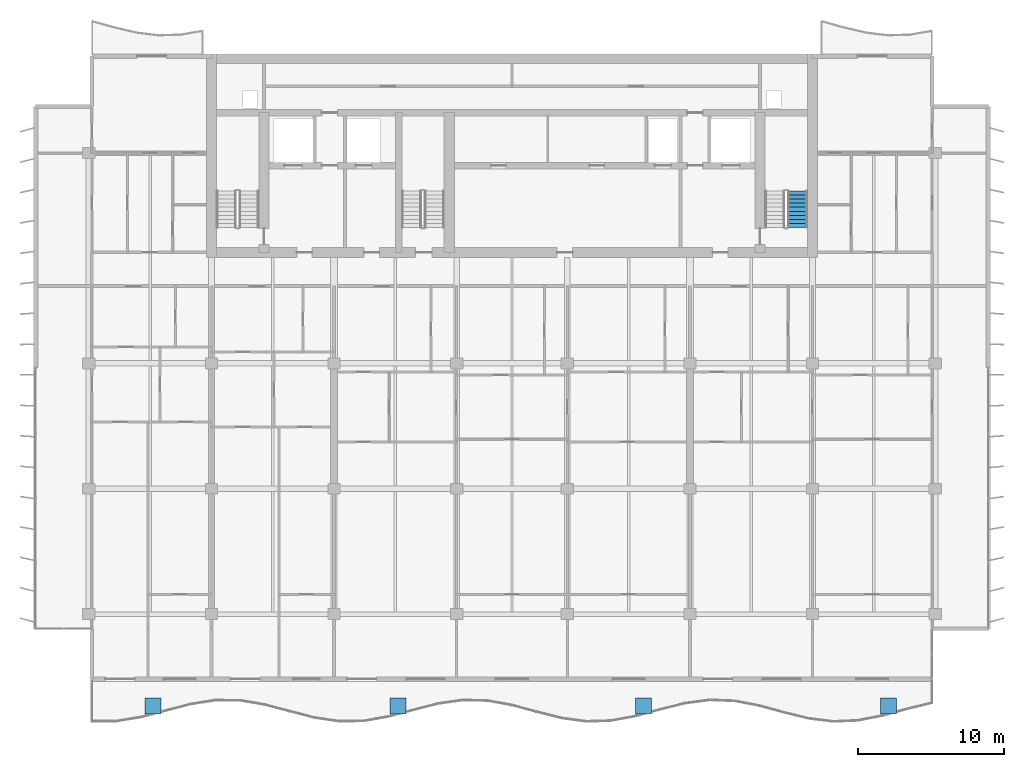
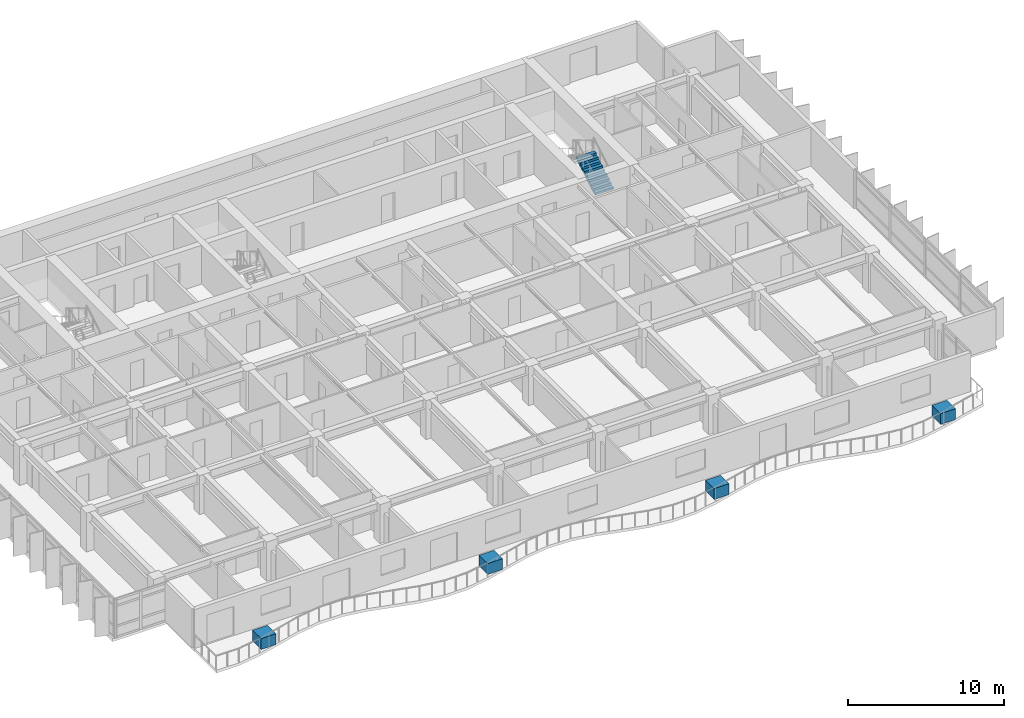
# One storey, part 12 of 16: 4 discrete accessories, 1 stair flight, 1 element without a shape of its own.
"""IFC4 building model written with IfcOpenShell, lengths in metres."""

from ifc_helpers import new_model, si_unit, direction, frame, origin, origin_2d, place, context, subcontext, project, spatial, polyline, rectangle, outline, extrude, material, type_object, element, aggregate, save


model = new_model("IFC4")

# Units and contexts
model_context = context("Model", 3, precision=1e-05, world=origin(), true_north=direction((0.0, 1.0)))
body_context = subcontext(model_context, "Body", "Model", "MODEL_VIEW")
ifc_project = project(units=[si_unit("LENGTHUNIT", "METRE"), si_unit("AREAUNIT", "SQUARE_METRE"), si_unit("VOLUMEUNIT", "CUBIC_METRE"), si_unit("PLANEANGLEUNIT", "RADIAN"), si_unit("MASSUNIT", "GRAM", prefix="KILO")], contexts=[model_context])

# Site, building, storey
site_placement = place(None, origin())
site = spatial("IfcSite", under=ifc_project, at=site_placement, CompositionType="ELEMENT")
building_placement = place(site_placement, origin())
building = spatial("IfcBuilding", under=site, at=building_placement, Name="Caelmar Bay Residences", CompositionType="ELEMENT")
storey_placement = place(building_placement, frame((0.0, 0.0, 198.300048828125)))
storey = spatial("IfcBuildingStorey", under=building, at=storey_placement, Name="L55", CompositionType="ELEMENT", Elevation=198.300048828125)

# Stair, stair flight
ifc_material_1 = material(Name="Concrete f'c 40 MPa (6,000 psi)", Category="concrete")
stair_type = type_object("IfcStairType", Name="ST-TYP-165", PredefinedType="HALF_TURN_STAIR", material=ifc_material_1)
stair_placement = place(storey_placement, origin())
stair = element("IfcStair", 1, at=stair_placement, inside=storey, type_object=stair_type, Name="L55 East Smokeproof Exit Stair ST2", PredefinedType="HALF_TURN_STAIR")
stair_flight_type = type_object("IfcStairFlightType", Name="STF-1350", PredefinedType="STRAIGHT", material=ifc_material_1)
stair_flight_placement = place(storey_placement, frame((58.47509765625, 38.699951171875, 0.0), z_axis=(0.0, 0.0, 1.0), x_axis=(0.0, 1.0, 0.0)))
stair_flight = element("IfcStairFlight", 2, at=stair_flight_placement, type_object=stair_flight_type, Name="ST2 flight 1", NumberOfRisers=10, NumberOfTreads=9, PredefinedType="STRAIGHT", RiserHeight=0.165, TreadLength=0.28, context=body_context, shape_type="SweptSolid", body=[
    extrude(outline(polyline([(0.0, 0.0), (0.0, 0.1650390625), (0.280029296875, 0.1650390625), (0.280029296875, 0.330078125), (0.56005859375, 0.330078125), (0.56005859375, 0.4951171875), (0.840087890625, 0.4951171875), (0.840087890625, 0.659912109375), (1.1201171875, 0.659912109375), (1.1201171875, 0.824951171875), (1.39990234375, 0.824951171875), (1.39990234375, 0.989990234375), (1.679931640625, 0.989990234375), (1.679931640625, 1.155029296875), (1.9599609375, 1.155029296875), (1.9599609375, 1.320068359375), (2.239990234375, 1.320068359375), (2.239990234375, 1.485107421875), (2.52001953125, 1.485107421875), (2.52001953125, 1.64990234375), (2.52001953125, 1.31103515625), (0.295166015625, 0.0), (0.0, 0.0)])), frame((0.0, 0.675048828125, 0.0), z_axis=(0.0, -1.0, 0.0), x_axis=(1.0, 0.0, 0.0)), (0.0, 0.0, 1.0), 1.35009765625),
])
aggregate(stair, [stair_flight])

# Discrete accessories
ifc_material_2 = material(Name="Architectural bronze GRC planter trough with volcanic-lapilli substrate")
discrete_accessory_type = type_object("IfcDiscreteAccessoryType", Name="ACC-PLANTER-1100", PredefinedType="USERDEFINED", material=ifc_material_2)
for number, where, z_axis, x_axis, name in (
    (3, (14.300048828125, 5.918212890625, 0.0), (0.0, 0.0, 1.0), (1.0, 0.0, 0.0), "L55 Balcony Structural Tree Planter 1"),
    (4, (31.10009765625, 5.918212890625, 0.0), (0.0, 0.0, 1.0), (1.0, 0.0, 0.0), "L55 Balcony Structural Tree Planter 2"),
    (5, (47.89990234375, 5.918212890625, 0.0), (0.0, 0.0, 1.0), (1.0, 0.0, 0.0), "L55 Balcony Structural Tree Planter 3"),
    (6, (64.699951171875, 5.918212890625, 0.0), (0.0, 0.0, 1.0), (1.0, 0.0, 0.0), "L55 Balcony Structural Tree Planter 4"),
):
    element("IfcDiscreteAccessory", number, at=place(storey_placement, frame(where, z_axis=z_axis, x_axis=x_axis)), inside=storey, type_object=discrete_accessory_type, Name=name, ObjectType="PLANTER", PredefinedType="USERDEFINED", context=body_context, shape_type="SweptSolid", body=[
        extrude(rectangle(XDim=1.10009765625, YDim=1.10009765625, at=origin_2d()), origin(), (0.0, 0.0, 1.0), 0.85009765625),
    ])

save(model, "model.ifc")
